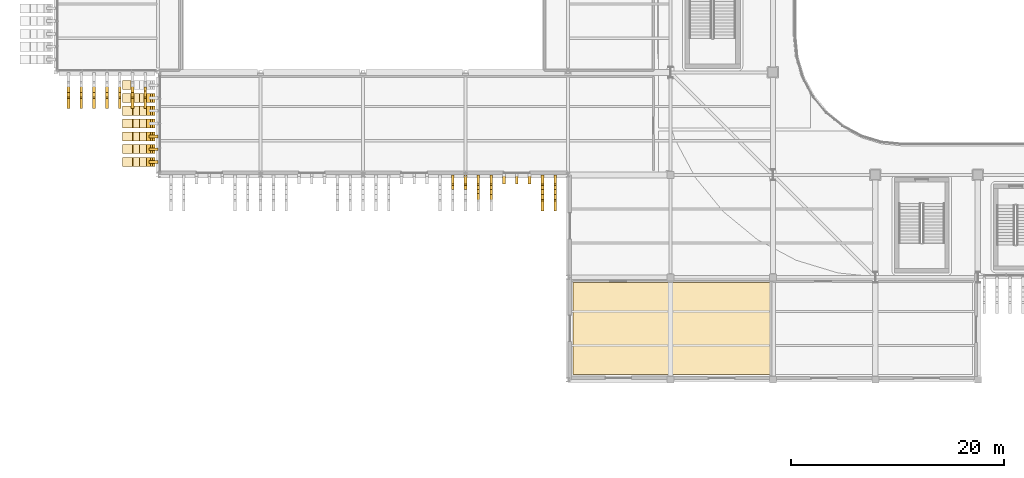
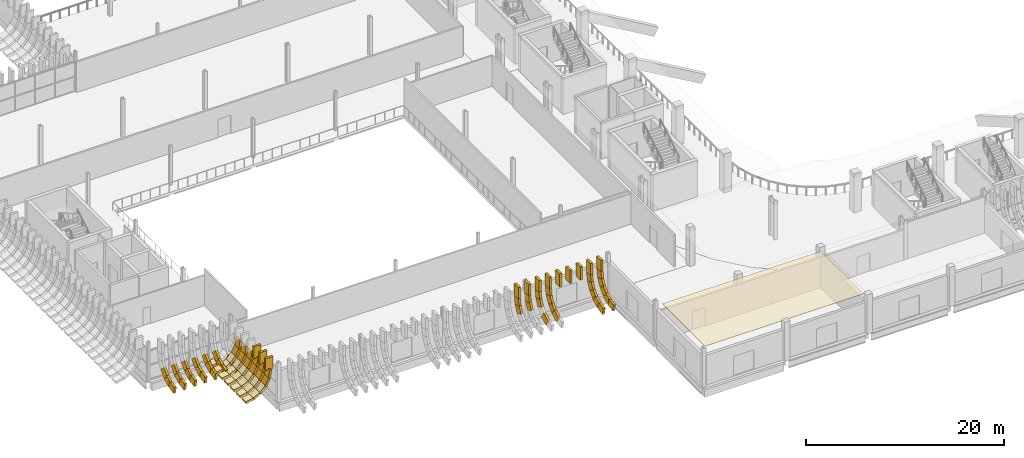
# One storey, part 66 of 100: 85 coverings.
"""IFC4 building model written with IfcOpenShell, lengths in metres."""

from ifc_helpers import new_model, si_unit, direction, frame, origin, origin_2d, place, context, subcontext, project, spatial, polyline, rectangle, outline, extrude, material, layer, layer_set, material_profile, profile_set, type_object, element, save


model = new_model("IFC4")

# Units and contexts
model_context = context("Model", 3, precision=1e-05, world=origin(), true_north=direction((0.0, 1.0)))
body_context = subcontext(model_context, "Body", "Model", "MODEL_VIEW")
ifc_project = project(units=[si_unit("LENGTHUNIT", "METRE"), si_unit("AREAUNIT", "SQUARE_METRE"), si_unit("VOLUMEUNIT", "CUBIC_METRE"), si_unit("PLANEANGLEUNIT", "RADIAN"), si_unit("MASSUNIT", "GRAM", prefix="KILO")], contexts=[model_context])

# Site, building, storey
site_placement = place(None, origin())
site = spatial("IfcSite", under=ifc_project, at=site_placement, CompositionType="ELEMENT")
building_placement = place(site_placement, origin())
building = spatial("IfcBuilding", under=site, at=building_placement, Name="Caelomonte Colonnade Arena", CompositionType="ELEMENT")
storey_placement = place(building_placement, origin())
storey = spatial("IfcBuildingStorey", under=building, at=storey_placement, Name="L00", CompositionType="ELEMENT", Elevation=0.0)

# Coverings
ifc_material_1 = material(Name="Precast travertine cladding", Category="masonry")
ifc_material_profile = material_profile(ifc_material_1, rectangle(XDim=0.260009765625, YDim=0.85009765625, at=origin_2d()), Name="FIN260X850")
ifc_profile_set = profile_set([ifc_material_profile], Name="Precast travertine cladding")
covering_type_1 = type_object("IfcCoveringType", Name="ENV-FN-SKIRT", PredefinedType="CLADDING", material=ifc_profile_set)
for number, where, z_axis, x_axis, name in (
    (1, (1.199951171875, 37.461669921875, 1.733154296875), (0.0, -0.694646381209, -0.71935137803), (-1.0, 0.0, 0.0), "V5 L00 splayed classical fin skirt chord 3 (40)"),
    (2, (1.199951171875, 36.83251953125, 1.061767578125), (0.0, -0.879731158529, -0.475471438379), (-1.0, 0.0, 0.0), "V5 L00 splayed classical fin skirt chord 4 (40)"),
):
    element("IfcCovering", number, at=place(storey_placement, frame(where, z_axis=z_axis, x_axis=x_axis)), inside=storey, type_object=covering_type_1, Name=name, PredefinedType="CLADDING", context=body_context, shape_type="SweptSolid", body=[
        extrude(rectangle(XDim=0.260009765625, YDim=0.85009765625, at=origin_2d()), origin(), (0.0, 0.0, 1.0), 1.008056640625),
    ])
covering_1_placement = place(storey_placement, frame((1.199951171875, 36.029541015625, 0.6123046875), z_axis=(0.0, -0.982287485173, -0.187380085582), x_axis=(-1.0, 0.0, 0.0)))
element("IfcCovering", 3, at=covering_1_placement, inside=storey, type_object=covering_type_1, Name="V5 L00 splayed classical fin skirt chord 5 (40)", PredefinedType="CLADDING", context=body_context, shape_type="SweptSolid", body=[
    extrude(rectangle(XDim=0.260009765625, YDim=0.85009765625, at=origin_2d()), origin(), (0.0, 0.0, 1.0), 0.962890625),
])
for number, where, z_axis, x_axis, name in (
    (4, (2.39990234375, 37.461669921875, 1.733154296875), (0.0, -0.694646381209, -0.71935137803), (-1.0, 0.0, 0.0), "V5 L00 splayed classical fin skirt chord 3 (41)"),
    (5, (2.39990234375, 36.83251953125, 1.061767578125), (0.0, -0.879731158529, -0.475471438379), (-1.0, 0.0, 0.0), "V5 L00 splayed classical fin skirt chord 4 (41)"),
):
    element("IfcCovering", number, at=place(storey_placement, frame(where, z_axis=z_axis, x_axis=x_axis)), inside=storey, type_object=covering_type_1, Name=name, PredefinedType="CLADDING", context=body_context, shape_type="SweptSolid", body=[
        extrude(rectangle(XDim=0.260009765625, YDim=0.85009765625, at=origin_2d()), origin(), (0.0, 0.0, 1.0), 1.008056640625),
    ])
covering_2_placement = place(storey_placement, frame((2.39990234375, 36.029541015625, 0.6123046875), z_axis=(0.0, -0.982287485173, -0.187380085582), x_axis=(-1.0, 0.0, 0.0)))
element("IfcCovering", 6, at=covering_2_placement, inside=storey, type_object=covering_type_1, Name="V5 L00 splayed classical fin skirt chord 5 (41)", PredefinedType="CLADDING", context=body_context, shape_type="SweptSolid", body=[
    extrude(rectangle(XDim=0.260009765625, YDim=0.85009765625, at=origin_2d()), origin(), (0.0, 0.0, 1.0), 0.962890625),
])
for number, where, z_axis, x_axis, name in (
    (7, (3.60009765625, 37.461669921875, 1.733154296875), (0.0, -0.694646381209, -0.71935137803), (-1.0, 0.0, 0.0), "V5 L00 splayed classical fin skirt chord 3 (42)"),
    (8, (3.60009765625, 36.83251953125, 1.061767578125), (0.0, -0.879731158529, -0.475471438379), (-1.0, 0.0, 0.0), "V5 L00 splayed classical fin skirt chord 4 (42)"),
):
    element("IfcCovering", number, at=place(storey_placement, frame(where, z_axis=z_axis, x_axis=x_axis)), inside=storey, type_object=covering_type_1, Name=name, PredefinedType="CLADDING", context=body_context, shape_type="SweptSolid", body=[
        extrude(rectangle(XDim=0.260009765625, YDim=0.85009765625, at=origin_2d()), origin(), (0.0, 0.0, 1.0), 1.008056640625),
    ])
covering_3_placement = place(storey_placement, frame((3.60009765625, 36.029541015625, 0.6123046875), z_axis=(0.0, -0.982287485173, -0.187380085582), x_axis=(-1.0, 0.0, 0.0)))
element("IfcCovering", 9, at=covering_3_placement, inside=storey, type_object=covering_type_1, Name="V5 L00 splayed classical fin skirt chord 5 (42)", PredefinedType="CLADDING", context=body_context, shape_type="SweptSolid", body=[
    extrude(rectangle(XDim=0.260009765625, YDim=0.85009765625, at=origin_2d()), origin(), (0.0, 0.0, 1.0), 0.962890625),
])
for number, where, z_axis, x_axis, name in (
    (10, (4.800048828125, 37.461669921875, 1.733154296875), (0.0, -0.694646381209, -0.71935137803), (-1.0, 0.0, 0.0), "V5 L00 splayed classical fin skirt chord 3 (43)"),
    (11, (4.800048828125, 36.83251953125, 1.061767578125), (0.0, -0.879731158529, -0.475471438379), (-1.0, 0.0, 0.0), "V5 L00 splayed classical fin skirt chord 4 (43)"),
):
    element("IfcCovering", number, at=place(storey_placement, frame(where, z_axis=z_axis, x_axis=x_axis)), inside=storey, type_object=covering_type_1, Name=name, PredefinedType="CLADDING", context=body_context, shape_type="SweptSolid", body=[
        extrude(rectangle(XDim=0.260009765625, YDim=0.85009765625, at=origin_2d()), origin(), (0.0, 0.0, 1.0), 1.008056640625),
    ])
covering_4_placement = place(storey_placement, frame((4.800048828125, 36.029541015625, 0.6123046875), z_axis=(0.0, -0.982287485173, -0.187380085582), x_axis=(-1.0, 0.0, 0.0)))
element("IfcCovering", 12, at=covering_4_placement, inside=storey, type_object=covering_type_1, Name="V5 L00 splayed classical fin skirt chord 5 (43)", PredefinedType="CLADDING", context=body_context, shape_type="SweptSolid", body=[
    extrude(rectangle(XDim=0.260009765625, YDim=0.85009765625, at=origin_2d()), origin(), (0.0, 0.0, 1.0), 0.962890625),
])
for number, where, z_axis, x_axis, name in (
    (13, (6.0, 37.461669921875, 1.733154296875), (0.0, -0.694646381209, -0.71935137803), (-1.0, 0.0, 0.0), "V5 L00 splayed classical fin skirt chord 3 (44)"),
    (14, (6.0, 36.83251953125, 1.061767578125), (0.0, -0.879731158529, -0.475471438379), (-1.0, 0.0, 0.0), "V5 L00 splayed classical fin skirt chord 4 (44)"),
):
    element("IfcCovering", number, at=place(storey_placement, frame(where, z_axis=z_axis, x_axis=x_axis)), inside=storey, type_object=covering_type_1, Name=name, PredefinedType="CLADDING", context=body_context, shape_type="SweptSolid", body=[
        extrude(rectangle(XDim=0.260009765625, YDim=0.85009765625, at=origin_2d()), origin(), (0.0, 0.0, 1.0), 1.008056640625),
    ])
covering_5_placement = place(storey_placement, frame((6.0, 36.029541015625, 0.6123046875), z_axis=(0.0, -0.982287485173, -0.187380085582), x_axis=(-1.0, 0.0, 0.0)))
element("IfcCovering", 15, at=covering_5_placement, inside=storey, type_object=covering_type_1, Name="V5 L00 splayed classical fin skirt chord 5 (44)", PredefinedType="CLADDING", context=body_context, shape_type="SweptSolid", body=[
    extrude(rectangle(XDim=0.260009765625, YDim=0.85009765625, at=origin_2d()), origin(), (0.0, 0.0, 1.0), 0.962890625),
])
for number, where, z_axis, x_axis, name in (
    (16, (7.199951171875, 37.461669921875, 1.733154296875), (0.0, -0.694646381209, -0.71935137803), (-1.0, 0.0, 0.0), "V5 L00 splayed classical fin skirt chord 3 (45)"),
    (17, (7.199951171875, 36.83251953125, 1.061767578125), (0.0, -0.879731158529, -0.475471438379), (-1.0, 0.0, 0.0), "V5 L00 splayed classical fin skirt chord 4 (45)"),
):
    element("IfcCovering", number, at=place(storey_placement, frame(where, z_axis=z_axis, x_axis=x_axis)), inside=storey, type_object=covering_type_1, Name=name, PredefinedType="CLADDING", context=body_context, shape_type="SweptSolid", body=[
        extrude(rectangle(XDim=0.260009765625, YDim=0.85009765625, at=origin_2d()), origin(), (0.0, 0.0, 1.0), 1.008056640625),
    ])
covering_6_placement = place(storey_placement, frame((7.199951171875, 36.029541015625, 0.6123046875), z_axis=(0.0, -0.982287485173, -0.187380085582), x_axis=(-1.0, 0.0, 0.0)))
element("IfcCovering", 18, at=covering_6_placement, inside=storey, type_object=covering_type_1, Name="V5 L00 splayed classical fin skirt chord 5 (45)", PredefinedType="CLADDING", context=body_context, shape_type="SweptSolid", body=[
    extrude(rectangle(XDim=0.260009765625, YDim=0.85009765625, at=origin_2d()), origin(), (0.0, 0.0, 1.0), 0.962890625),
])
covering_7_placement = place(storey_placement, frame((8.39990234375, 36.83251953125, 1.061767578125), z_axis=(0.0, -0.879731158529, -0.475471438379), x_axis=(-1.0, 0.0, 0.0)))
element("IfcCovering", 19, at=covering_7_placement, inside=storey, type_object=covering_type_1, Name="V5 L00 splayed classical fin skirt chord 4 (46)", PredefinedType="CLADDING", context=body_context, shape_type="SweptSolid", body=[
    extrude(rectangle(XDim=0.260009765625, YDim=0.85009765625, at=origin_2d()), origin(), (0.0, 0.0, 1.0), 1.008056640625),
])
for number, where, z_axis, x_axis, name in (
    (20, (8.39990234375, 36.029541015625, 0.6123046875), (0.0, -0.982287485173, -0.187380085582), (-1.0, 0.0, 0.0), "V5 L00 splayed classical fin skirt chord 5 (46)"),
    (21, (7.2294921875, 37.199951171875, 0.6123046875), (-0.982287485173, 0.0, -0.187380085582), (-0.187380085582, 0.0, 0.982287485173), "V5 L00 splayed classical fin skirt chord 5 (47)"),
):
    element("IfcCovering", number, at=place(storey_placement, frame(where, z_axis=z_axis, x_axis=x_axis)), inside=storey, type_object=covering_type_1, Name=name, PredefinedType="CLADDING", context=body_context, shape_type="SweptSolid", body=[
        extrude(rectangle(XDim=0.260009765625, YDim=0.85009765625, at=origin_2d()), origin(), (0.0, 0.0, 1.0), 0.962890625),
    ])
for number, where, z_axis, x_axis, name in (
    (22, (9.185791015625, 36.0, 3.474609375), (-0.15283979596, 0.0, -0.988250978634), (-0.988250978634, 0.0, 0.15283979596), "V5 L00 splayed classical fin skirt chord 1 (48)"),
    (23, (9.05859375, 36.0, 2.563232421875), (-0.444692864571, 0.0, -0.89568312265), (-0.89568312265, 0.0, 0.444692864571), "V5 L00 splayed classical fin skirt chord 2 (48)"),
    (24, (8.66162109375, 36.0, 1.733154296875), (-0.694646381209, 0.0, -0.71935137803), (-0.71935137803, 0.0, 0.694646381209), "V5 L00 splayed classical fin skirt chord 3 (48)"),
    (25, (8.032470703125, 36.0, 1.061767578125), (-0.879731158529, 0.0, -0.475471438379), (-0.475471438379, 0.0, 0.879731158529), "V5 L00 splayed classical fin skirt chord 4 (48)"),
):
    element("IfcCovering", number, at=place(storey_placement, frame(where, z_axis=z_axis, x_axis=x_axis)), inside=storey, type_object=covering_type_1, Name=name, PredefinedType="CLADDING", context=body_context, shape_type="SweptSolid", body=[
        extrude(rectangle(XDim=0.260009765625, YDim=0.85009765625, at=origin_2d()), origin(), (0.0, 0.0, 1.0), 1.008056640625),
    ])
covering_8_placement = place(storey_placement, frame((7.2294921875, 36.0, 0.6123046875), z_axis=(-0.982287485173, 0.0, -0.187380085582), x_axis=(-0.187380085582, 0.0, 0.982287485173)))
element("IfcCovering", 26, at=covering_8_placement, inside=storey, type_object=covering_type_1, Name="V5 L00 splayed classical fin skirt chord 5 (48)", PredefinedType="CLADDING", context=body_context, shape_type="SweptSolid", body=[
    extrude(rectangle(XDim=0.260009765625, YDim=0.85009765625, at=origin_2d()), origin(), (0.0, 0.0, 1.0), 0.962890625),
])
for number, where, z_axis, x_axis, name in (
    (27, (9.185791015625, 34.800048828125, 3.474609375), (-0.15283979596, 0.0, -0.988250978634), (-0.988250978634, 0.0, 0.15283979596), "V5 L00 splayed classical fin skirt chord 1 (49)"),
    (28, (9.05859375, 34.800048828125, 2.563232421875), (-0.444692864571, 0.0, -0.89568312265), (-0.89568312265, 0.0, 0.444692864571), "V5 L00 splayed classical fin skirt chord 2 (49)"),
    (29, (8.66162109375, 34.800048828125, 1.733154296875), (-0.694646381209, 0.0, -0.71935137803), (-0.71935137803, 0.0, 0.694646381209), "V5 L00 splayed classical fin skirt chord 3 (49)"),
    (30, (8.032470703125, 34.800048828125, 1.061767578125), (-0.879731158529, 0.0, -0.475471438379), (-0.475471438379, 0.0, 0.879731158529), "V5 L00 splayed classical fin skirt chord 4 (49)"),
):
    element("IfcCovering", number, at=place(storey_placement, frame(where, z_axis=z_axis, x_axis=x_axis)), inside=storey, type_object=covering_type_1, Name=name, PredefinedType="CLADDING", context=body_context, shape_type="SweptSolid", body=[
        extrude(rectangle(XDim=0.260009765625, YDim=0.85009765625, at=origin_2d()), origin(), (0.0, 0.0, 1.0), 1.008056640625),
    ])
covering_9_placement = place(storey_placement, frame((7.2294921875, 34.800048828125, 0.6123046875), z_axis=(-0.982287485173, 0.0, -0.187380085582), x_axis=(-0.187380085582, 0.0, 0.982287485173)))
element("IfcCovering", 31, at=covering_9_placement, inside=storey, type_object=covering_type_1, Name="V5 L00 splayed classical fin skirt chord 5 (49)", PredefinedType="CLADDING", context=body_context, shape_type="SweptSolid", body=[
    extrude(rectangle(XDim=0.260009765625, YDim=0.85009765625, at=origin_2d()), origin(), (0.0, 0.0, 1.0), 0.962890625),
])
for number, where, z_axis, x_axis, name in (
    (32, (9.185791015625, 33.60009765625, 3.474609375), (-0.15283979596, 0.0, -0.988250978634), (-0.988250978634, 0.0, 0.15283979596), "V5 L00 splayed classical fin skirt chord 1 (50)"),
    (33, (9.05859375, 33.60009765625, 2.563232421875), (-0.444692864571, 0.0, -0.89568312265), (-0.89568312265, 0.0, 0.444692864571), "V5 L00 splayed classical fin skirt chord 2 (50)"),
    (34, (8.66162109375, 33.60009765625, 1.733154296875), (-0.694646381209, 0.0, -0.71935137803), (-0.71935137803, 0.0, 0.694646381209), "V5 L00 splayed classical fin skirt chord 3 (50)"),
    (35, (8.032470703125, 33.60009765625, 1.061767578125), (-0.879731158529, 0.0, -0.475471438379), (-0.475471438379, 0.0, 0.879731158529), "V5 L00 splayed classical fin skirt chord 4 (50)"),
):
    element("IfcCovering", number, at=place(storey_placement, frame(where, z_axis=z_axis, x_axis=x_axis)), inside=storey, type_object=covering_type_1, Name=name, PredefinedType="CLADDING", context=body_context, shape_type="SweptSolid", body=[
        extrude(rectangle(XDim=0.260009765625, YDim=0.85009765625, at=origin_2d()), origin(), (0.0, 0.0, 1.0), 1.008056640625),
    ])
covering_10_placement = place(storey_placement, frame((7.2294921875, 33.60009765625, 0.6123046875), z_axis=(-0.982287485173, 0.0, -0.187380085582), x_axis=(-0.187380085582, 0.0, 0.982287485173)))
element("IfcCovering", 36, at=covering_10_placement, inside=storey, type_object=covering_type_1, Name="V5 L00 splayed classical fin skirt chord 5 (50)", PredefinedType="CLADDING", context=body_context, shape_type="SweptSolid", body=[
    extrude(rectangle(XDim=0.260009765625, YDim=0.85009765625, at=origin_2d()), origin(), (0.0, 0.0, 1.0), 0.962890625),
])
covering_11_placement = place(storey_placement, frame((9.178955078125, 32.39990234375, 3.360107421875), z_axis=(0.0, 0.0, 1.0), x_axis=(0.0, 1.0, 0.0)))
element("IfcCovering", 37, at=covering_11_placement, inside=storey, type_object=covering_type_1, Name="V5 L00 upper classical fin stem 51", PredefinedType="CLADDING", context=body_context, shape_type="SweptSolid", body=[
    extrude(rectangle(XDim=0.260009765625, YDim=0.85009765625, at=origin_2d()), origin(), (0.0, 0.0, 1.0), 1.4599609375),
])
for number, where, z_axis, x_axis, name in (
    (38, (9.185791015625, 32.39990234375, 3.474609375), (-0.15283979596, 0.0, -0.988250978634), (-0.988250978634, 0.0, 0.15283979596), "V5 L00 splayed classical fin skirt chord 1 (51)"),
    (39, (9.05859375, 32.39990234375, 2.563232421875), (-0.444692864571, 0.0, -0.89568312265), (-0.89568312265, 0.0, 0.444692864571), "V5 L00 splayed classical fin skirt chord 2 (51)"),
    (40, (8.66162109375, 32.39990234375, 1.733154296875), (-0.694646381209, 0.0, -0.71935137803), (-0.71935137803, 0.0, 0.694646381209), "V5 L00 splayed classical fin skirt chord 3 (51)"),
    (41, (8.032470703125, 32.39990234375, 1.061767578125), (-0.879731158529, 0.0, -0.475471438379), (-0.475471438379, 0.0, 0.879731158529), "V5 L00 splayed classical fin skirt chord 4 (51)"),
):
    element("IfcCovering", number, at=place(storey_placement, frame(where, z_axis=z_axis, x_axis=x_axis)), inside=storey, type_object=covering_type_1, Name=name, PredefinedType="CLADDING", context=body_context, shape_type="SweptSolid", body=[
        extrude(rectangle(XDim=0.260009765625, YDim=0.85009765625, at=origin_2d()), origin(), (0.0, 0.0, 1.0), 1.008056640625),
    ])
covering_12_placement = place(storey_placement, frame((7.2294921875, 32.39990234375, 0.6123046875), z_axis=(-0.982287485173, 0.0, -0.187380085582), x_axis=(-0.187380085582, 0.0, 0.982287485173)))
element("IfcCovering", 42, at=covering_12_placement, inside=storey, type_object=covering_type_1, Name="V5 L00 splayed classical fin skirt chord 5 (51)", PredefinedType="CLADDING", context=body_context, shape_type="SweptSolid", body=[
    extrude(rectangle(XDim=0.260009765625, YDim=0.85009765625, at=origin_2d()), origin(), (0.0, 0.0, 1.0), 0.962890625),
])
covering_13_placement = place(storey_placement, frame((9.178955078125, 31.199951171875, 3.360107421875), z_axis=(0.0, 0.0, 1.0), x_axis=(0.0, 1.0, 0.0)))
element("IfcCovering", 43, at=covering_13_placement, inside=storey, type_object=covering_type_1, Name="V5 L00 upper classical fin stem 52", PredefinedType="CLADDING", context=body_context, shape_type="SweptSolid", body=[
    extrude(rectangle(XDim=0.260009765625, YDim=0.85009765625, at=origin_2d()), origin(), (0.0, 0.0, 1.0), 1.4599609375),
])
for number, where, z_axis, x_axis, name in (
    (44, (9.185791015625, 31.199951171875, 3.474609375), (-0.15283979596, 0.0, -0.988250978634), (-0.988250978634, 0.0, 0.15283979596), "V5 L00 splayed classical fin skirt chord 1 (52)"),
    (45, (9.05859375, 31.199951171875, 2.563232421875), (-0.444692864571, 0.0, -0.89568312265), (-0.89568312265, 0.0, 0.444692864571), "V5 L00 splayed classical fin skirt chord 2 (52)"),
    (46, (8.66162109375, 31.199951171875, 1.733154296875), (-0.694646381209, 0.0, -0.71935137803), (-0.71935137803, 0.0, 0.694646381209), "V5 L00 splayed classical fin skirt chord 3 (52)"),
    (47, (8.032470703125, 31.199951171875, 1.061767578125), (-0.879731158529, 0.0, -0.475471438379), (-0.475471438379, 0.0, 0.879731158529), "V5 L00 splayed classical fin skirt chord 4 (52)"),
):
    element("IfcCovering", number, at=place(storey_placement, frame(where, z_axis=z_axis, x_axis=x_axis)), inside=storey, type_object=covering_type_1, Name=name, PredefinedType="CLADDING", context=body_context, shape_type="SweptSolid", body=[
        extrude(rectangle(XDim=0.260009765625, YDim=0.85009765625, at=origin_2d()), origin(), (0.0, 0.0, 1.0), 1.008056640625),
    ])
covering_14_placement = place(storey_placement, frame((7.2294921875, 31.199951171875, 0.6123046875), z_axis=(-0.982287485173, 0.0, -0.187380085582), x_axis=(-0.187380085582, 0.0, 0.982287485173)))
element("IfcCovering", 48, at=covering_14_placement, inside=storey, type_object=covering_type_1, Name="V5 L00 splayed classical fin skirt chord 5 (52)", PredefinedType="CLADDING", context=body_context, shape_type="SweptSolid", body=[
    extrude(rectangle(XDim=0.260009765625, YDim=0.85009765625, at=origin_2d()), origin(), (0.0, 0.0, 1.0), 0.962890625),
])
covering_15_placement = place(storey_placement, frame((9.178955078125, 30.0, 3.360107421875), z_axis=(0.0, 0.0, 1.0), x_axis=(0.0, 1.0, 0.0)))
element("IfcCovering", 49, at=covering_15_placement, inside=storey, type_object=covering_type_1, Name="V5 L00 upper classical fin stem 53", PredefinedType="CLADDING", context=body_context, shape_type="SweptSolid", body=[
    extrude(rectangle(XDim=0.260009765625, YDim=0.85009765625, at=origin_2d()), origin(), (0.0, 0.0, 1.0), 1.4599609375),
])
for number, where, z_axis, x_axis, name in (
    (50, (9.185791015625, 30.0, 3.474609375), (-0.15283979596, 0.0, -0.988250978634), (-0.988250978634, 0.0, 0.15283979596), "V5 L00 splayed classical fin skirt chord 1 (53)"),
    (51, (9.05859375, 30.0, 2.563232421875), (-0.444692864571, 0.0, -0.89568312265), (-0.89568312265, 0.0, 0.444692864571), "V5 L00 splayed classical fin skirt chord 2 (53)"),
    (52, (8.66162109375, 30.0, 1.733154296875), (-0.694646381209, 0.0, -0.71935137803), (-0.71935137803, 0.0, 0.694646381209), "V5 L00 splayed classical fin skirt chord 3 (53)"),
    (53, (8.032470703125, 30.0, 1.061767578125), (-0.879731158529, 0.0, -0.475471438379), (-0.475471438379, 0.0, 0.879731158529), "V5 L00 splayed classical fin skirt chord 4 (53)"),
):
    element("IfcCovering", number, at=place(storey_placement, frame(where, z_axis=z_axis, x_axis=x_axis)), inside=storey, type_object=covering_type_1, Name=name, PredefinedType="CLADDING", context=body_context, shape_type="SweptSolid", body=[
        extrude(rectangle(XDim=0.260009765625, YDim=0.85009765625, at=origin_2d()), origin(), (0.0, 0.0, 1.0), 1.008056640625),
    ])
covering_16_placement = place(storey_placement, frame((7.2294921875, 30.0, 0.6123046875), z_axis=(-0.982287485173, 0.0, -0.187380085582), x_axis=(-0.187380085582, 0.0, 0.982287485173)))
element("IfcCovering", 54, at=covering_16_placement, inside=storey, type_object=covering_type_1, Name="V5 L00 splayed classical fin skirt chord 5 (53)", PredefinedType="CLADDING", context=body_context, shape_type="SweptSolid", body=[
    extrude(rectangle(XDim=0.260009765625, YDim=0.85009765625, at=origin_2d()), origin(), (0.0, 0.0, 1.0), 0.962890625),
])
covering_17_placement = place(storey_placement, frame((37.199951171875, 28.37890625, 3.360107421875), z_axis=(0.0, 0.0, 1.0), x_axis=(-1.0, 0.0, 0.0)))
element("IfcCovering", 55, at=covering_17_placement, inside=storey, type_object=covering_type_1, Name="V5 L00 upper classical fin stem 76", PredefinedType="CLADDING", context=body_context, shape_type="SweptSolid", body=[
    extrude(rectangle(XDim=0.260009765625, YDim=0.85009765625, at=origin_2d()), origin(), (0.0, 0.0, 1.0), 1.4599609375),
])
for number, where, z_axis, x_axis, name in (
    (56, (37.199951171875, 28.385986328125, 3.474609375), (0.0, -0.153076342973, -0.988214366027), (-1.0, 0.0, 0.0), "V5 L00 splayed classical fin skirt chord 1 (76)"),
    (57, (37.199951171875, 28.258544921875, 2.563232421875), (0.0, -0.444692864571, -0.89568312265), (-1.0, 0.0, 0.0), "V5 L00 splayed classical fin skirt chord 2 (76)"),
):
    element("IfcCovering", number, at=place(storey_placement, frame(where, z_axis=z_axis, x_axis=x_axis)), inside=storey, type_object=covering_type_1, Name=name, PredefinedType="CLADDING", context=body_context, shape_type="SweptSolid", body=[
        extrude(rectangle(XDim=0.260009765625, YDim=0.85009765625, at=origin_2d()), origin(), (0.0, 0.0, 1.0), 1.008056640625),
    ])
covering_18_placement = place(storey_placement, frame((38.39990234375, 28.37890625, 3.360107421875), z_axis=(0.0, 0.0, 1.0), x_axis=(-1.0, 0.0, 0.0)))
element("IfcCovering", 58, at=covering_18_placement, inside=storey, type_object=covering_type_1, Name="V5 L00 upper classical fin stem 77", PredefinedType="CLADDING", context=body_context, shape_type="SweptSolid", body=[
    extrude(rectangle(XDim=0.260009765625, YDim=0.85009765625, at=origin_2d()), origin(), (0.0, 0.0, 1.0), 1.4599609375),
])
for number, where, z_axis, x_axis, name in (
    (59, (38.39990234375, 28.385986328125, 3.474609375), (0.0, -0.153076342973, -0.988214366027), (-1.0, 0.0, 0.0), "V5 L00 splayed classical fin skirt chord 1 (77)"),
    (60, (38.39990234375, 28.258544921875, 2.563232421875), (0.0, -0.444692864571, -0.89568312265), (-1.0, 0.0, 0.0), "V5 L00 splayed classical fin skirt chord 2 (77)"),
):
    element("IfcCovering", number, at=place(storey_placement, frame(where, z_axis=z_axis, x_axis=x_axis)), inside=storey, type_object=covering_type_1, Name=name, PredefinedType="CLADDING", context=body_context, shape_type="SweptSolid", body=[
        extrude(rectangle(XDim=0.260009765625, YDim=0.85009765625, at=origin_2d()), origin(), (0.0, 0.0, 1.0), 1.008056640625),
    ])
covering_19_placement = place(storey_placement, frame((39.60009765625, 28.37890625, 3.360107421875), z_axis=(0.0, 0.0, 1.0), x_axis=(-1.0, 0.0, 0.0)))
element("IfcCovering", 61, at=covering_19_placement, inside=storey, type_object=covering_type_1, Name="V5 L00 upper classical fin stem 78", PredefinedType="CLADDING", context=body_context, shape_type="SweptSolid", body=[
    extrude(rectangle(XDim=0.260009765625, YDim=0.85009765625, at=origin_2d()), origin(), (0.0, 0.0, 1.0), 1.4599609375),
])
for number, where, z_axis, x_axis, name in (
    (62, (39.60009765625, 28.385986328125, 3.474609375), (0.0, -0.153076342973, -0.988214366027), (-1.0, 0.0, 0.0), "V5 L00 splayed classical fin skirt chord 1 (78)"),
    (63, (39.60009765625, 28.258544921875, 2.563232421875), (0.0, -0.444692864571, -0.89568312265), (-1.0, 0.0, 0.0), "V5 L00 splayed classical fin skirt chord 2 (78)"),
    (64, (39.60009765625, 27.232421875, 1.061767578125), (0.0, -0.879731158529, -0.475471438379), (-1.0, 0.0, 0.0), "V5 L00 splayed classical fin skirt chord 4 (78)"),
):
    element("IfcCovering", number, at=place(storey_placement, frame(where, z_axis=z_axis, x_axis=x_axis)), inside=storey, type_object=covering_type_1, Name=name, PredefinedType="CLADDING", context=body_context, shape_type="SweptSolid", body=[
        extrude(rectangle(XDim=0.260009765625, YDim=0.85009765625, at=origin_2d()), origin(), (0.0, 0.0, 1.0), 1.008056640625),
    ])
covering_20_placement = place(storey_placement, frame((40.800048828125, 28.37890625, 3.360107421875), z_axis=(0.0, 0.0, 1.0), x_axis=(-1.0, 0.0, 0.0)))
element("IfcCovering", 65, at=covering_20_placement, inside=storey, type_object=covering_type_1, Name="V5 L00 upper classical fin stem 79", PredefinedType="CLADDING", context=body_context, shape_type="SweptSolid", body=[
    extrude(rectangle(XDim=0.260009765625, YDim=0.85009765625, at=origin_2d()), origin(), (0.0, 0.0, 1.0), 1.4599609375),
])
for number, where, z_axis, x_axis, name in (
    (66, (40.800048828125, 28.385986328125, 3.474609375), (0.0, -0.153076342973, -0.988214366027), (-1.0, 0.0, 0.0), "V5 L00 splayed classical fin skirt chord 1 (79)"),
    (67, (40.800048828125, 28.258544921875, 2.563232421875), (0.0, -0.444692864571, -0.89568312265), (-1.0, 0.0, 0.0), "V5 L00 splayed classical fin skirt chord 2 (79)"),
    (68, (40.800048828125, 27.86181640625, 1.733154296875), (0.0, -0.694646381209, -0.71935137803), (-1.0, 0.0, 0.0), "V5 L00 splayed classical fin skirt chord 3 (79)"),
    (69, (40.800048828125, 27.232421875, 1.061767578125), (0.0, -0.879731158529, -0.475471438379), (-1.0, 0.0, 0.0), "V5 L00 splayed classical fin skirt chord 4 (79)"),
):
    element("IfcCovering", number, at=place(storey_placement, frame(where, z_axis=z_axis, x_axis=x_axis)), inside=storey, type_object=covering_type_1, Name=name, PredefinedType="CLADDING", context=body_context, shape_type="SweptSolid", body=[
        extrude(rectangle(XDim=0.260009765625, YDim=0.85009765625, at=origin_2d()), origin(), (0.0, 0.0, 1.0), 1.008056640625),
    ])
for number, where, z_axis, x_axis, name in (
    (70, (42.0, 28.37890625, 3.199951171875), (0.0, 0.0, 1.0), (-1.0, 0.0, 0.0), "V5 L00 over-portal classical fin header 80"),
    (71, (43.199951171875, 28.37890625, 3.199951171875), (0.0, 0.0, 1.0), (-1.0, 0.0, 0.0), "V5 L00 over-portal classical fin header 81"),
    (72, (44.39990234375, 28.37890625, 3.199951171875), (0.0, 0.0, 1.0), (-1.0, 0.0, 0.0), "V5 L00 over-portal classical fin header 82"),
):
    element("IfcCovering", number, at=place(storey_placement, frame(where, z_axis=z_axis, x_axis=x_axis)), inside=storey, type_object=covering_type_1, Name=name, PredefinedType="CLADDING", context=body_context, shape_type="SweptSolid", body=[
        extrude(rectangle(XDim=0.260009765625, YDim=0.85009765625, at=origin_2d()), origin(), (0.0, 0.0, 1.0), 1.6201171875),
    ])
covering_21_placement = place(storey_placement, frame((45.60009765625, 28.37890625, 3.360107421875), z_axis=(0.0, 0.0, 1.0), x_axis=(-1.0, 0.0, 0.0)))
element("IfcCovering", 73, at=covering_21_placement, inside=storey, type_object=covering_type_1, Name="V5 L00 upper classical fin stem 83", PredefinedType="CLADDING", context=body_context, shape_type="SweptSolid", body=[
    extrude(rectangle(XDim=0.260009765625, YDim=0.85009765625, at=origin_2d()), origin(), (0.0, 0.0, 1.0), 1.4599609375),
])
for number, where, z_axis, x_axis, name in (
    (74, (45.60009765625, 28.385986328125, 3.474609375), (0.0, -0.153076342973, -0.988214366027), (-1.0, 0.0, 0.0), "V5 L00 splayed classical fin skirt chord 1 (83)"),
    (75, (45.60009765625, 28.258544921875, 2.563232421875), (0.0, -0.444692864571, -0.89568312265), (-1.0, 0.0, 0.0), "V5 L00 splayed classical fin skirt chord 2 (83)"),
    (76, (45.60009765625, 27.86181640625, 1.733154296875), (0.0, -0.694646381209, -0.71935137803), (-1.0, 0.0, 0.0), "V5 L00 splayed classical fin skirt chord 3 (83)"),
    (77, (45.60009765625, 27.232421875, 1.061767578125), (0.0, -0.879731158529, -0.475471438379), (-1.0, 0.0, 0.0), "V5 L00 splayed classical fin skirt chord 4 (83)"),
):
    element("IfcCovering", number, at=place(storey_placement, frame(where, z_axis=z_axis, x_axis=x_axis)), inside=storey, type_object=covering_type_1, Name=name, PredefinedType="CLADDING", context=body_context, shape_type="SweptSolid", body=[
        extrude(rectangle(XDim=0.260009765625, YDim=0.85009765625, at=origin_2d()), origin(), (0.0, 0.0, 1.0), 1.008056640625),
    ])
covering_22_placement = place(storey_placement, frame((45.60009765625, 26.4296875, 0.6123046875), z_axis=(0.0, -0.982296384632, -0.187333426643), x_axis=(-1.0, 0.0, 0.0)))
element("IfcCovering", 78, at=covering_22_placement, inside=storey, type_object=covering_type_1, Name="V5 L00 splayed classical fin skirt chord 5 (83)", PredefinedType="CLADDING", context=body_context, shape_type="SweptSolid", body=[
    extrude(rectangle(XDim=0.260009765625, YDim=0.85009765625, at=origin_2d()), origin(), (0.0, 0.0, 1.0), 0.963134765625),
])
covering_23_placement = place(storey_placement, frame((46.800048828125, 28.37890625, 3.360107421875), z_axis=(0.0, 0.0, 1.0), x_axis=(-1.0, 0.0, 0.0)))
element("IfcCovering", 79, at=covering_23_placement, inside=storey, type_object=covering_type_1, Name="V5 L00 upper classical fin stem 84", PredefinedType="CLADDING", context=body_context, shape_type="SweptSolid", body=[
    extrude(rectangle(XDim=0.260009765625, YDim=0.85009765625, at=origin_2d()), origin(), (0.0, 0.0, 1.0), 1.4599609375),
])
for number, where, z_axis, x_axis, name in (
    (80, (46.800048828125, 28.385986328125, 3.474609375), (0.0, -0.153076342973, -0.988214366027), (-1.0, 0.0, 0.0), "V5 L00 splayed classical fin skirt chord 1 (84)"),
    (81, (46.800048828125, 28.258544921875, 2.563232421875), (0.0, -0.444692864571, -0.89568312265), (-1.0, 0.0, 0.0), "V5 L00 splayed classical fin skirt chord 2 (84)"),
    (82, (46.800048828125, 27.86181640625, 1.733154296875), (0.0, -0.694646381209, -0.71935137803), (-1.0, 0.0, 0.0), "V5 L00 splayed classical fin skirt chord 3 (84)"),
    (83, (46.800048828125, 27.232421875, 1.061767578125), (0.0, -0.879731158529, -0.475471438379), (-1.0, 0.0, 0.0), "V5 L00 splayed classical fin skirt chord 4 (84)"),
):
    element("IfcCovering", number, at=place(storey_placement, frame(where, z_axis=z_axis, x_axis=x_axis)), inside=storey, type_object=covering_type_1, Name=name, PredefinedType="CLADDING", context=body_context, shape_type="SweptSolid", body=[
        extrude(rectangle(XDim=0.260009765625, YDim=0.85009765625, at=origin_2d()), origin(), (0.0, 0.0, 1.0), 1.008056640625),
    ])
covering_24_placement = place(storey_placement, frame((46.800048828125, 26.4296875, 0.6123046875), z_axis=(0.0, -0.982296384632, -0.187333426643), x_axis=(-1.0, 0.0, 0.0)))
element("IfcCovering", 84, at=covering_24_placement, inside=storey, type_object=covering_type_1, Name="V5 L00 splayed classical fin skirt chord 5 (84)", PredefinedType="CLADDING", context=body_context, shape_type="SweptSolid", body=[
    extrude(rectangle(XDim=0.260009765625, YDim=0.85009765625, at=origin_2d()), origin(), (0.0, 0.0, 1.0), 0.963134765625),
])
ifc_material_2 = material(Name="Perforated acoustic mineral-fibre ceiling")
ifc_layer = layer(ifc_material_2, 0.0400390625)
ifc_layer_set = layer_set([ifc_layer], Name="Perforated acoustic mineral-fibre ceiling")
covering_type_2 = type_object("IfcCoveringType", Name="INT-CV-CEIL1", PredefinedType="CEILING", material=ifc_layer_set)
covering_25_placement = place(storey_placement, frame((0.0, 0.0, 4.419921875)))
element("IfcCovering", 85, at=covering_25_placement, inside=storey, type_object=covering_type_2, Name="L00 Arena Cafe acoustic ceiling", PredefinedType="CEILING", context=body_context, shape_type="SweptSolid", body=[
    extrude(outline(polyline([(66.919921875, 18.719970703125), (48.47998046875, 18.719970703125), (48.47998046875, 10.080078125), (66.919921875, 10.080078125), (66.919921875, 18.719970703125)])), origin(), (0.0, 0.0, 1.0), 0.0400390625),
])

save(model, "model.ifc")
